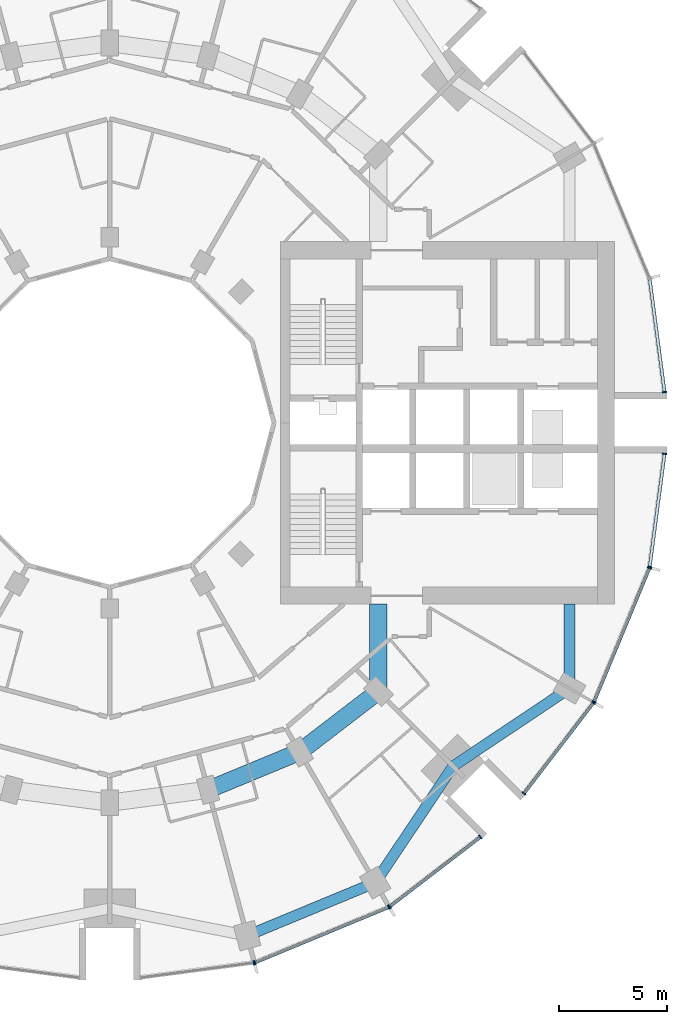
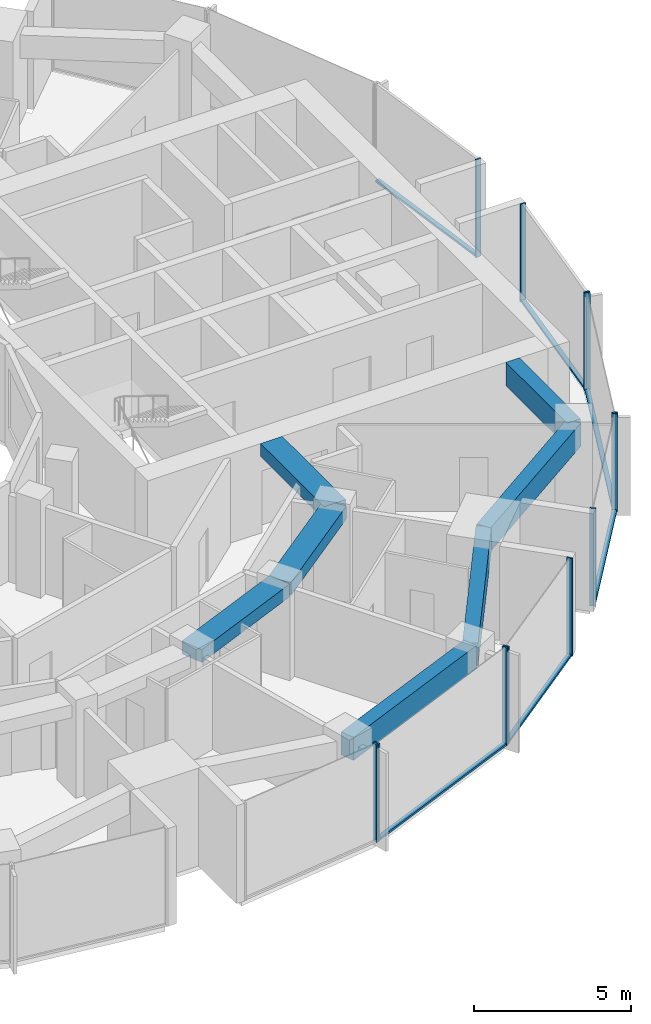
# One storey, part 4 of 15: 18 members, 7 beams, 7 elements without a shape of their own.
"""IFC4 building model written with IfcOpenShell, lengths in metres."""

from ifc_helpers import new_model, si_unit, direction, frame, origin, origin_2d, place, context, subcontext, project, spatial, rectangle, extrude, material, layer, layer_set, material_profile, profile_set, type_object, element, aggregate, save


model = new_model("IFC4")

# Units and contexts
model_context = context("Model", 3, precision=1e-05, world=origin(), true_north=direction((0.0, 1.0)))
body_context = subcontext(model_context, "Body", "Model", "MODEL_VIEW")
ifc_project = project(units=[si_unit("LENGTHUNIT", "METRE"), si_unit("AREAUNIT", "SQUARE_METRE"), si_unit("VOLUMEUNIT", "CUBIC_METRE"), si_unit("PLANEANGLEUNIT", "RADIAN"), si_unit("MASSUNIT", "GRAM", prefix="KILO")], contexts=[model_context])

# Site, building, storey
site_placement = place(None, origin())
site = spatial("IfcSite", under=ifc_project, at=site_placement, CompositionType="ELEMENT")
building_placement = place(site_placement, origin())
building = spatial("IfcBuilding", under=site, at=building_placement, Name="Torre Brocal", CompositionType="ELEMENT")
storey_placement = place(building_placement, frame((0.0, 0.0, 36.39990234375)))
storey = spatial("IfcBuildingStorey", under=building, at=storey_placement, Name="L07", CompositionType="ELEMENT", Elevation=36.39990234375)

# Curtain wall, member
ifc_material_1 = material(Name="Aluminium and glass", Category="aluminium")
ifc_layer_1 = layer(ifc_material_1, 0.199951171875)
ifc_layer_set_1 = layer_set([ifc_layer_1], Name="Aluminium and glass")
curtain_wall_type_1 = type_object("IfcCurtainWallType", Name="CW-1 CURTAIN WALL 3800 HIGH", PredefinedType="NOTDEFINED", material=ifc_layer_set_1)
curtain_wall_1_placement = place(storey_placement, origin())
curtain_wall_1 = element("IfcCurtainWall", 1, at=curtain_wall_1_placement, inside=storey, type_object=curtain_wall_type_1, Name="CW-1 RUN 19", PredefinedType="NOTDEFINED")
ifc_material_2 = material(Name="Aluminium, dark anodised", Category="aluminium")
ifc_material_profile_1 = material_profile(ifc_material_2, rectangle(XDim=0.199951171875, YDim=0.06005859375, at=origin_2d()), Name="CW-1 MULLION 60X200")
ifc_profile_set_1 = profile_set([ifc_material_profile_1], Name="Aluminium, dark anodised")
member_type_1 = type_object("IfcMemberType", Name="CW-1 MULLION 60X200", PredefinedType="MULLION", material=ifc_profile_set_1)
member_1_placement = place(storey_placement, frame((86.67333984375, 49.9794921875, 0.0), z_axis=(0.0, 0.0, 1.0), x_axis=(-0.13052619222, 0.991444861374, 0.0)))
member_1 = element("IfcMember", 2, at=member_1_placement, type_object=member_type_1, Name="CW1-1 mullion 2", PredefinedType="MULLION", context=body_context, shape_type="SweptSolid", body=[
    extrude(rectangle(XDim=0.199951171875, YDim=0.06005859375, at=origin_2d()), origin(), (0.0, 0.0, 1.0), 3.800048828125),
])
aggregate(curtain_wall_1, [member_1])

# Curtain wall, members
curtain_wall_2_placement = place(storey_placement, origin())
curtain_wall_2 = element("IfcCurtainWall", 3, at=curtain_wall_2_placement, inside=storey, type_object=curtain_wall_type_1, Name="CW-1 RUN 20", PredefinedType="NOTDEFINED")
member_2_placement = place(storey_placement, frame((86.73095703125, 49.994873046875, 0.0), z_axis=(0.0, 0.0, 1.0), x_axis=(-0.382683432333, 0.923879532525, 0.0)))
member_2 = element("IfcMember", 4, at=member_2_placement, type_object=member_type_1, Name="CW1-1 mullion 1", PredefinedType="MULLION", context=body_context, shape_type="SweptSolid", body=[
    extrude(rectangle(XDim=0.199951171875, YDim=0.06005859375, at=origin_2d()), origin(), (0.0, 0.0, 1.0), 3.800048828125),
])
member_3_placement = place(storey_placement, frame((92.921875, 52.559326171875, 0.0), z_axis=(0.0, 0.0, 1.0), x_axis=(-0.382683432333, 0.923879532525, 0.0)))
member_3 = element("IfcMember", 5, at=member_3_placement, type_object=member_type_1, Name="CW1-1 mullion 2", PredefinedType="MULLION", context=body_context, shape_type="SweptSolid", body=[
    extrude(rectangle(XDim=0.199951171875, YDim=0.06005859375, at=origin_2d()), origin(), (0.0, 0.0, 1.0), 3.800048828125),
])

curtain_wall_3_placement = place(storey_placement, origin())
curtain_wall_3 = element("IfcCurtainWall", 6, at=curtain_wall_3_placement, inside=storey, type_object=curtain_wall_type_1, Name="CW-1 RUN 21", PredefinedType="NOTDEFINED")
member_4_placement = place(storey_placement, frame((92.973388671875, 52.5888671875, 0.0), z_axis=(0.0, 0.0, 1.0), x_axis=(-0.60876142905, 0.793353340259, 0.0)))
member_4 = element("IfcMember", 7, at=member_4_placement, type_object=member_type_1, Name="CW1-1 mullion 1", PredefinedType="MULLION", context=body_context, shape_type="SweptSolid", body=[
    extrude(rectangle(XDim=0.199951171875, YDim=0.06005859375, at=origin_2d()), origin(), (0.0, 0.0, 1.0), 3.800048828125),
])
member_5_placement = place(storey_placement, frame((97.16943359375, 55.80859375, 0.0), z_axis=(0.0, 0.0, 1.0), x_axis=(-0.60876142905, 0.793353340259, 0.0)))
member_5 = element("IfcMember", 8, at=member_5_placement, type_object=member_type_1, Name="CW1-1 mullion 2", PredefinedType="MULLION", context=body_context, shape_type="SweptSolid", body=[
    extrude(rectangle(XDim=0.199951171875, YDim=0.06005859375, at=origin_2d()), origin(), (0.0, 0.0, 1.0), 3.800048828125),
])

curtain_wall_4_placement = place(storey_placement, origin())
curtain_wall_4 = element("IfcCurtainWall", 9, at=curtain_wall_4_placement, inside=storey, type_object=curtain_wall_type_1, Name="CW-1 RUN 22", PredefinedType="NOTDEFINED")
member_6_placement = place(storey_placement, frame((99.19140625, 57.83056640625, 0.0), z_axis=(0.0, 0.0, 1.0), x_axis=(-0.793353340259, 0.60876142905, 0.0)))
member_6 = element("IfcMember", 10, at=member_6_placement, type_object=member_type_1, Name="CW1-1 mullion 1", PredefinedType="MULLION", context=body_context, shape_type="SweptSolid", body=[
    extrude(rectangle(XDim=0.199951171875, YDim=0.06005859375, at=origin_2d()), origin(), (0.0, 0.0, 1.0), 3.800048828125),
])
member_7_placement = place(storey_placement, frame((102.4111328125, 62.026611328125, 0.0), z_axis=(0.0, 0.0, 1.0), x_axis=(-0.793353340259, 0.60876142905, 0.0)))
member_7 = element("IfcMember", 11, at=member_7_placement, type_object=member_type_1, Name="CW1-1 mullion 2", PredefinedType="MULLION", context=body_context, shape_type="SweptSolid", body=[
    extrude(rectangle(XDim=0.199951171875, YDim=0.06005859375, at=origin_2d()), origin(), (0.0, 0.0, 1.0), 3.800048828125),
])

curtain_wall_5_placement = place(storey_placement, origin())
curtain_wall_5 = element("IfcCurtainWall", 12, at=curtain_wall_5_placement, inside=storey, type_object=curtain_wall_type_1, Name="CW-1 RUN 23", PredefinedType="NOTDEFINED")
member_8_placement = place(storey_placement, frame((102.440673828125, 62.078125, 0.0), z_axis=(0.0, 0.0, 1.0), x_axis=(-0.923879532525, 0.382683432333, 0.0)))
member_8 = element("IfcMember", 13, at=member_8_placement, type_object=member_type_1, Name="CW1-1 mullion 1", PredefinedType="MULLION", context=body_context, shape_type="SweptSolid", body=[
    extrude(rectangle(XDim=0.199951171875, YDim=0.06005859375, at=origin_2d()), origin(), (0.0, 0.0, 1.0), 3.800048828125),
])
member_9_placement = place(storey_placement, frame((105.005126953125, 68.26904296875, 0.0), z_axis=(0.0, 0.0, 1.0), x_axis=(-0.923879532525, 0.382683432333, 0.0)))
member_9 = element("IfcMember", 14, at=member_9_placement, type_object=member_type_1, Name="CW1-1 mullion 2", PredefinedType="MULLION", context=body_context, shape_type="SweptSolid", body=[
    extrude(rectangle(XDim=0.199951171875, YDim=0.06005859375, at=origin_2d()), origin(), (0.0, 0.0, 1.0), 3.800048828125),
])

# Member
ifc_material_3 = material(Name="Aluminium, dark anodised", Category="aluminium")
ifc_material_profile_2 = material_profile(ifc_material_3, rectangle(XDim=0.159912109375, YDim=0.080078125, at=origin_2d()), Name="CW-1 TRANSOM 160X80")
ifc_profile_set_2 = profile_set([ifc_material_profile_2], Name="Aluminium, dark anodised")
member_type_2 = type_object("IfcMemberType", Name="CW-1 TRANSOM 160X80", PredefinedType="USERDEFINED", material=ifc_profile_set_2)
member_10_placement = place(storey_placement, frame((86.758544921875, 50.00634765625, 0.0400390625), z_axis=(0.923887344364, 0.38266457234, 0.0), x_axis=(-0.38266457234, 0.923887344364, 0.0)))
member_10 = element("IfcMember", 15, at=member_10_placement, type_object=member_type_2, Name="CW1-1 transom 1.1", ObjectType="TRANSOM", PredefinedType="USERDEFINED", context=body_context, shape_type="SweptSolid", body=[
    extrude(rectangle(XDim=0.159912109375, YDim=0.080078125, at=origin_2d()), origin(), (0.0, 0.0, 1.0), 6.640869140625),
])

aggregate(curtain_wall_2, [member_2, member_3, member_10])

member_11_placement = place(storey_placement, frame((92.9970703125, 52.607177734375, 0.0400390625), z_axis=(0.79336281513, 0.60874908096, 0.0), x_axis=(-0.60874908096, 0.79336281513, 0.0)))
member_11 = element("IfcMember", 16, at=member_11_placement, type_object=member_type_2, Name="CW1-1 transom 1.1", ObjectType="TRANSOM", PredefinedType="USERDEFINED", context=body_context, shape_type="SweptSolid", body=[
    extrude(rectangle(XDim=0.159912109375, YDim=0.080078125, at=origin_2d()), origin(), (0.0, 0.0, 1.0), 5.22900390625),
])

aggregate(curtain_wall_3, [member_4, member_5, member_11])

member_12_placement = place(storey_placement, frame((99.209716796875, 57.8544921875, 0.0400390625), z_axis=(0.60874908096, 0.79336281513, 0.0), x_axis=(-0.79336281513, 0.60874908096, 0.0)))
member_12 = element("IfcMember", 17, at=member_12_placement, type_object=member_type_2, Name="CW1-1 transom 1.1", ObjectType="TRANSOM", PredefinedType="USERDEFINED", context=body_context, shape_type="SweptSolid", body=[
    extrude(rectangle(XDim=0.159912109375, YDim=0.080078125, at=origin_2d()), origin(), (0.0, 0.0, 1.0), 5.22900390625),
])

aggregate(curtain_wall_4, [member_6, member_7, member_12])

member_13_placement = place(storey_placement, frame((102.452392578125, 62.10595703125, 0.0400390625), z_axis=(0.38266457234, 0.923887344364, 0.0), x_axis=(-0.923887344364, 0.38266457234, 0.0)))
member_13 = element("IfcMember", 18, at=member_13_placement, type_object=member_type_2, Name="CW1-1 transom 1.1", ObjectType="TRANSOM", PredefinedType="USERDEFINED", context=body_context, shape_type="SweptSolid", body=[
    extrude(rectangle(XDim=0.159912109375, YDim=0.080078125, at=origin_2d()), origin(), (0.0, 0.0, 1.0), 6.640869140625),
])

aggregate(curtain_wall_5, [member_8, member_9, member_13])

# Curtain wall, member
ifc_material_4 = material(Name="Aluminium and glass", Category="aluminium")
ifc_layer_2 = layer(ifc_material_4, 0.199951171875)
ifc_layer_set_2 = layer_set([ifc_layer_2], Name="Aluminium and glass")
curtain_wall_type_2 = type_object("IfcCurtainWallType", Name="CW-1B CURTAIN WALL 3800 HIGH", PredefinedType="NOTDEFINED", material=ifc_layer_set_2)
curtain_wall_6_placement = place(storey_placement, origin())
curtain_wall_6 = element("IfcCurtainWall", 19, at=curtain_wall_6_placement, inside=storey, type_object=curtain_wall_type_2, Name="CW-1B RUN 1", PredefinedType="NOTDEFINED")
ifc_material_5 = material(Name="Aluminium, dark anodised", Category="aluminium")
ifc_material_profile_3 = material_profile(ifc_material_5, rectangle(XDim=0.199951171875, YDim=0.06005859375, at=origin_2d()), Name="CW-1B MULLION 60X200")
ifc_profile_set_3 = profile_set([ifc_material_profile_3], Name="Aluminium, dark anodised")
member_type_3 = type_object("IfcMemberType", Name="CW-1B MULLION 60X200", PredefinedType="MULLION", material=ifc_profile_set_3)
member_14_placement = place(storey_placement, frame((105.7109375, 76.4296875, 0.0), z_axis=(0.0, 0.0, 1.0), x_axis=(-0.991444861374, -0.13052619222, 0.0)))
member_14 = element("IfcMember", 20, at=member_14_placement, type_object=member_type_3, Name="CW1B-1 mullion 1", PredefinedType="MULLION", context=body_context, shape_type="SweptSolid", body=[
    extrude(rectangle(XDim=0.199951171875, YDim=0.06005859375, at=origin_2d()), origin(), (0.0, 0.0, 1.0), 3.800048828125),
])

# Curtain wall, members
curtain_wall_7_placement = place(storey_placement, origin())
curtain_wall_7 = element("IfcCurtainWall", 21, at=curtain_wall_7_placement, inside=storey, type_object=curtain_wall_type_2, Name="CW-1B RUN 24", PredefinedType="NOTDEFINED")
member_15_placement = place(storey_placement, frame((105.0205078125, 68.32666015625, 0.0), z_axis=(0.0, 0.0, 1.0), x_axis=(-0.991444861374, 0.13052619222, 0.0)))
member_15 = element("IfcMember", 22, at=member_15_placement, type_object=member_type_3, Name="CW1B-1 mullion 1", PredefinedType="MULLION", context=body_context, shape_type="SweptSolid", body=[
    extrude(rectangle(XDim=0.199951171875, YDim=0.06005859375, at=origin_2d()), origin(), (0.0, 0.0, 1.0), 3.800048828125),
])
member_16_placement = place(storey_placement, frame((105.7109375, 73.5703125, 0.0), z_axis=(0.0, 0.0, 1.0), x_axis=(-0.991444861374, 0.13052619222, 0.0)))
member_16 = element("IfcMember", 23, at=member_16_placement, type_object=member_type_3, Name="CW1B-1 mullion 2", PredefinedType="MULLION", context=body_context, shape_type="SweptSolid", body=[
    extrude(rectangle(XDim=0.199951171875, YDim=0.06005859375, at=origin_2d()), origin(), (0.0, 0.0, 1.0), 3.800048828125),
])

# Member
ifc_material_6 = material(Name="Aluminium, dark anodised", Category="aluminium")
ifc_material_profile_4 = material_profile(ifc_material_6, rectangle(XDim=0.159912109375, YDim=0.080078125, at=origin_2d()), Name="CW-1B TRANSOM 160X80")
ifc_profile_set_4 = profile_set([ifc_material_profile_4], Name="Aluminium, dark anodised")
member_type_4 = type_object("IfcMemberType", Name="CW-1B TRANSOM 160X80", PredefinedType="USERDEFINED", material=ifc_profile_set_4)
member_17_placement = place(storey_placement, frame((105.70703125, 76.45947265625, 0.0400390625), z_axis=(-0.130542677827, 0.991442690863, 0.0), x_axis=(-0.991442690863, -0.130542677827, 0.0)))
member_17 = element("IfcMember", 24, at=member_17_placement, type_object=member_type_4, Name="CW1B-1 transom 1.1", ObjectType="TRANSOM", PredefinedType="USERDEFINED", context=body_context, shape_type="SweptSolid", body=[
    extrude(rectangle(XDim=0.159912109375, YDim=0.080078125, at=origin_2d()), origin(), (0.0, 0.0, 1.0), 5.22900390625),
])

aggregate(curtain_wall_6, [member_14, member_17])

member_18_placement = place(storey_placement, frame((105.0244140625, 68.356201171875, 0.0400390625), z_axis=(0.130542677827, 0.991442690863, 0.0), x_axis=(-0.991442690863, 0.130542677827, 0.0)))
member_18 = element("IfcMember", 25, at=member_18_placement, type_object=member_type_4, Name="CW1B-1 transom 1.1", ObjectType="TRANSOM", PredefinedType="USERDEFINED", context=body_context, shape_type="SweptSolid", body=[
    extrude(rectangle(XDim=0.159912109375, YDim=0.080078125, at=origin_2d()), origin(), (0.0, 0.0, 1.0), 5.22900390625),
])

aggregate(curtain_wall_7, [member_15, member_16, member_18])

# Beams
ifc_material_7 = material(Name="Concrete C50", Category="concrete")
ifc_material_profile_5 = material_profile(ifc_material_7, rectangle(XDim=0.800048828125, YDim=0.5, at=origin_2d()), Name="RC 800X500")
ifc_profile_set_5 = profile_set([ifc_material_profile_5], Name="Concrete C50")
beam_type_1 = type_object("IfcBeamType", Name="RC BEAM 800X500 C50 TOP 3480", PredefinedType="BEAM", material=ifc_profile_set_5)
beam_1_placement = place(storey_placement, frame((84.55517578125, 57.999755859375, 3.22998046875), z_axis=(0.923878240166, 0.382686552348, 0.0), x_axis=(-0.382686552348, 0.923878240166, 0.0)))
element("IfcBeam", 26, at=beam_1_placement, inside=storey, type_object=beam_type_1, Name="Beam BT-19", PredefinedType="BEAM", context=body_context, shape_type="SweptSolid", body=[
    extrude(rectangle(XDim=0.800048828125, YDim=0.5, at=origin_2d()), origin(), (0.0, 0.0, 1.0), 4.5947265625),
])
beam_2_placement = place(storey_placement, frame((88.800048828125, 59.758056640625, 3.22998046875), z_axis=(0.793358265959, 0.6087550097, 0.0), x_axis=(-0.6087550097, 0.793358265959, 0.0)))
element("IfcBeam", 27, at=beam_2_placement, inside=storey, type_object=beam_type_1, Name="Beam BT-19", PredefinedType="BEAM", context=body_context, shape_type="SweptSolid", body=[
    extrude(rectangle(XDim=0.800048828125, YDim=0.5, at=origin_2d()), origin(), (0.0, 0.0, 1.0), 4.594482421875),
])
beam_3_placement = place(storey_placement, frame((92.445068359375, 62.554931640625, 3.22998046875), z_axis=(0.0, 1.0, 0.0), x_axis=(-1.0, 0.0, 0.0)))
element("IfcBeam", 28, at=beam_3_placement, inside=storey, type_object=beam_type_1, Name="Beam BT-19", PredefinedType="BEAM", context=body_context, shape_type="SweptSolid", body=[
    extrude(rectangle(XDim=0.800048828125, YDim=0.5, at=origin_2d()), origin(), (0.0, 0.0, 1.0), 4.045166015625),
])
ifc_material_8 = material(Name="Concrete C50", Category="concrete")
ifc_material_profile_6 = material_profile(ifc_material_8, rectangle(XDim=0.5, YDim=0.89990234375, at=origin_2d()), Name="RC 500X900")
ifc_profile_set_6 = profile_set([ifc_material_profile_6], Name="Concrete C50")
beam_type_2 = type_object("IfcBeamType", Name="RC SPANDREL BEAM 500X900 C50 TOP 3480", PredefinedType="SPANDREL", material=ifc_profile_set_6)
beam_4_placement = place(storey_placement, frame((86.366943359375, 51.23828125, 3.030029296875), z_axis=(0.923882462513, 0.382676358639, 0.0), x_axis=(-0.382676358639, 0.923882462513, 0.0)))
element("IfcBeam", 29, at=beam_4_placement, inside=storey, type_object=beam_type_2, Name="Beam BT-20", PredefinedType="SPANDREL", context=body_context, shape_type="SweptSolid", body=[
    extrude(rectangle(XDim=0.5, YDim=0.89990234375, at=origin_2d()), origin(), (0.0, 0.0, 1.0), 6.421875),
])
for number, where, z_axis, x_axis, name in (
    (30, (92.300048828125, 53.69580078125, 3.030029296875), (0.556157602282, 0.831076844476, 0.0), (-0.831076844476, 0.556157602282, 0.0), "Beam BT-20"),
    (31, (95.909912109375, 59.090087890625, 3.030029296875), (0.831076844476, 0.556157602282, 0.0), (-0.556157602282, 0.831076844476, 0.0), "Beam BT-20"),
):
    element("IfcBeam", number, at=place(storey_placement, frame(where, z_axis=z_axis, x_axis=x_axis)), inside=storey, type_object=beam_type_2, Name=name, PredefinedType="SPANDREL", context=body_context, shape_type="SweptSolid", body=[
        extrude(rectangle(XDim=0.5, YDim=0.89990234375, at=origin_2d()), origin(), (0.0, 0.0, 1.0), 6.49072265625),
    ])
beam_5_placement = place(storey_placement, frame((101.30419921875, 62.699951171875, 3.030029296875), z_axis=(0.0, 1.0, 0.0), x_axis=(-1.0, 0.0, 0.0)))
element("IfcBeam", 32, at=beam_5_placement, inside=storey, type_object=beam_type_2, Name="Beam BT-20", PredefinedType="SPANDREL", context=body_context, shape_type="SweptSolid", body=[
    extrude(rectangle(XDim=0.5, YDim=0.89990234375, at=origin_2d()), origin(), (0.0, 0.0, 1.0), 3.900146484375),
])

save(model, "model.ifc")
